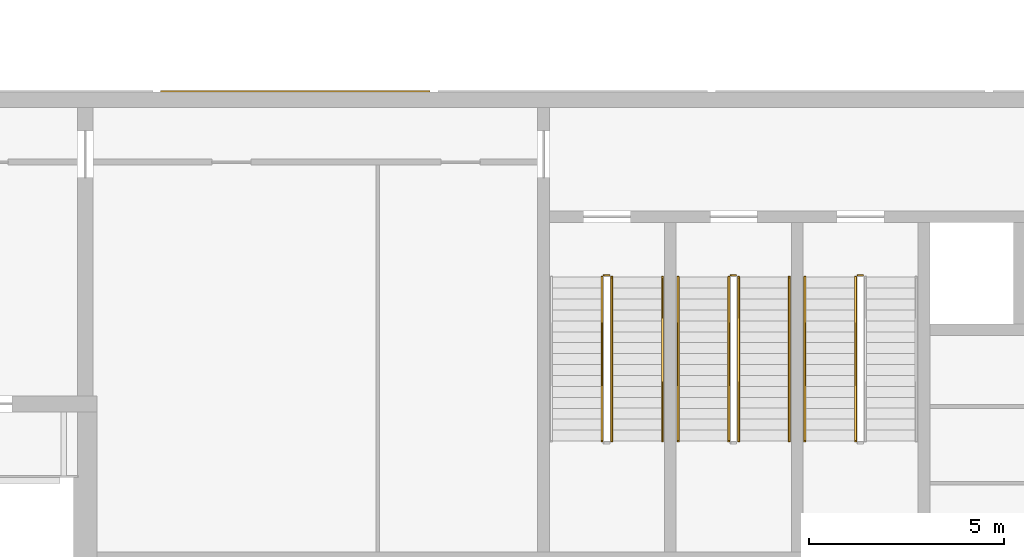
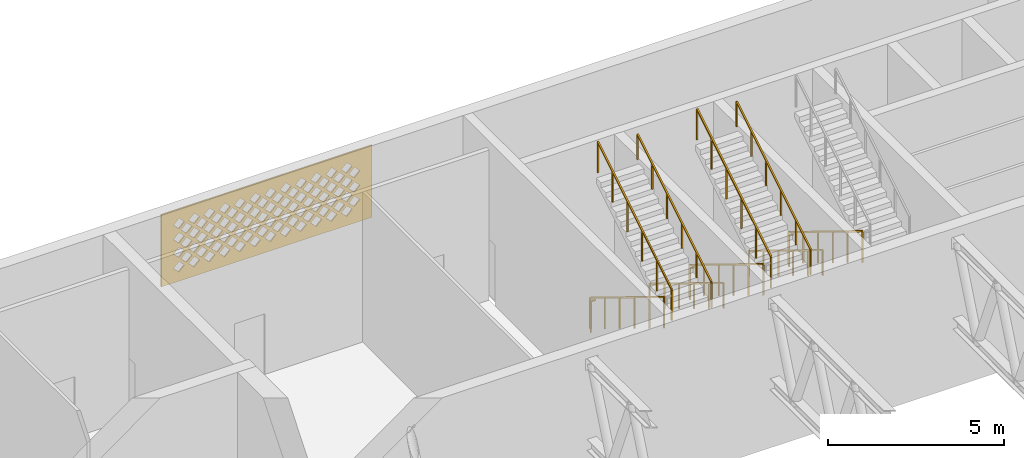
# One storey, part 42 of 69: 12 railings, 1 covering.
"""IFC4 building model written with IfcOpenShell, lengths in metres."""

from ifc_helpers import new_model, si_unit, direction, frame, origin, origin_2d, place, context, subcontext, project, spatial, polyline, rectangle, outline, extrude, material, layer, layer_set, type_object, element, save


model = new_model("IFC4")

# Units and contexts
model_context = context("Model", 3, precision=1e-05, world=origin(), true_north=direction((0.0, 1.0)))
body_context = subcontext(model_context, "Body", "Model", "MODEL_VIEW")
ifc_project = project(units=[si_unit("LENGTHUNIT", "METRE"), si_unit("AREAUNIT", "SQUARE_METRE"), si_unit("VOLUMEUNIT", "CUBIC_METRE"), si_unit("PLANEANGLEUNIT", "RADIAN"), si_unit("MASSUNIT", "GRAM", prefix="KILO")], contexts=[model_context])

# Site, building, storey
site_placement = place(None, origin())
site = spatial("IfcSite", under=ifc_project, at=site_placement, CompositionType="ELEMENT")
building_placement = place(site_placement, origin())
building = spatial("IfcBuilding", under=site, at=building_placement, Name="Noorbagh Ring Tower", CompositionType="ELEMENT")
storey_placement = place(building_placement, frame((0.0, 0.0, 19.5)))
storey = spatial("IfcBuildingStorey", under=building, at=storey_placement, Name="L03", CompositionType="ELEMENT", Elevation=19.5)

# Covering
ifc_material_1 = material(Name="Red sandstone jali", Category="masonry")
ifc_layer = layer(ifc_material_1, 0.0400390625)
ifc_layer_set = layer_set([ifc_layer], Name="Red sandstone jali")
covering_type = type_object("IfcCoveringType", Name="STH-BAND", PredefinedType="USERDEFINED", material=ifc_layer_set)
covering_placement = place(storey_placement, frame((-131.155517578125, 31.0400390625, 2.699951171875), z_axis=(0.0, 1.0, 0.0), x_axis=(-1.0, 0.0, 0.0)))
element("IfcCovering", 1, at=covering_placement, inside=storey, type_object=covering_type, Name="Jali band", ObjectType="JALI SCREEN", PredefinedType="USERDEFINED", context=body_context, shape_type="SweptSolid", body=[
    extrude(outline(polyline([(0.0, 0.0), (6.9111328125, 0.0), (6.9111328125, 2.5), (0.0, 2.5), (0.0, 0.0)]), holes=[polyline([(0.650634765625, 0.5), (0.83056640625, 0.320068359375), (1.010498046875, 0.5), (0.83056640625, 0.679931640625), (0.650634765625, 0.5)]), polyline([(1.150634765625, 0.5), (1.33056640625, 0.320068359375), (1.510498046875, 0.5), (1.33056640625, 0.679931640625), (1.150634765625, 0.5)]), polyline([(1.650634765625, 0.5), (1.83056640625, 0.320068359375), (2.010498046875, 0.5), (1.83056640625, 0.679931640625), (1.650634765625, 0.5)]), polyline([(2.150634765625, 0.5), (2.33056640625, 0.320068359375), (2.510498046875, 0.5), (2.33056640625, 0.679931640625), (2.150634765625, 0.5)]), polyline([(2.650634765625, 0.5), (2.83056640625, 0.320068359375), (3.010498046875, 0.5), (2.83056640625, 0.679931640625), (2.650634765625, 0.5)]), polyline([(3.150634765625, 0.5), (3.33056640625, 0.320068359375), (3.510498046875, 0.5), (3.33056640625, 0.679931640625), (3.150634765625, 0.5)]), polyline([(3.650634765625, 0.5), (3.83056640625, 0.320068359375), (4.010498046875, 0.5), (3.83056640625, 0.679931640625), (3.650634765625, 0.5)]), polyline([(4.150634765625, 0.5), (4.33056640625, 0.320068359375), (4.510498046875, 0.5), (4.33056640625, 0.679931640625), (4.150634765625, 0.5)]), polyline([(4.650634765625, 0.5), (4.83056640625, 0.320068359375), (5.010498046875, 0.5), (4.83056640625, 0.679931640625), (4.650634765625, 0.5)]), polyline([(5.150634765625, 0.5), (5.33056640625, 0.320068359375), (5.510498046875, 0.5), (5.33056640625, 0.679931640625), (5.150634765625, 0.5)]), polyline([(5.650634765625, 0.5), (5.83056640625, 0.320068359375), (6.010498046875, 0.5), (5.83056640625, 0.679931640625), (5.650634765625, 0.5)]), polyline([(6.150634765625, 0.5), (6.33056640625, 0.320068359375), (6.510498046875, 0.5), (6.33056640625, 0.679931640625), (6.150634765625, 0.5)]), polyline([(0.400634765625, 0.75), (0.58056640625, 0.570068359375), (0.760498046875, 0.75), (0.58056640625, 0.929931640625), (0.400634765625, 0.75)]), polyline([(0.900634765625, 0.75), (1.08056640625, 0.570068359375), (1.260498046875, 0.75), (1.08056640625, 0.929931640625), (0.900634765625, 0.75)]), polyline([(1.400634765625, 0.75), (1.58056640625, 0.570068359375), (1.760498046875, 0.75), (1.58056640625, 0.929931640625), (1.400634765625, 0.75)]), polyline([(1.900634765625, 0.75), (2.08056640625, 0.570068359375), (2.260498046875, 0.75), (2.08056640625, 0.929931640625), (1.900634765625, 0.75)]), polyline([(2.400634765625, 0.75), (2.58056640625, 0.570068359375), (2.760498046875, 0.75), (2.58056640625, 0.929931640625), (2.400634765625, 0.75)]), polyline([(2.900634765625, 0.75), (3.08056640625, 0.570068359375), (3.260498046875, 0.75), (3.08056640625, 0.929931640625), (2.900634765625, 0.75)]), polyline([(3.400634765625, 0.75), (3.58056640625, 0.570068359375), (3.760498046875, 0.75), (3.58056640625, 0.929931640625), (3.400634765625, 0.75)]), polyline([(3.900634765625, 0.75), (4.08056640625, 0.570068359375), (4.260498046875, 0.75), (4.08056640625, 0.929931640625), (3.900634765625, 0.75)]), polyline([(4.400634765625, 0.75), (4.58056640625, 0.570068359375), (4.760498046875, 0.75), (4.58056640625, 0.929931640625), (4.400634765625, 0.75)]), polyline([(4.900634765625, 0.75), (5.08056640625, 0.570068359375), (5.260498046875, 0.75), (5.08056640625, 0.929931640625), (4.900634765625, 0.75)]), polyline([(5.400634765625, 0.75), (5.58056640625, 0.570068359375), (5.760498046875, 0.75), (5.58056640625, 0.929931640625), (5.400634765625, 0.75)]), polyline([(5.900634765625, 0.75), (6.08056640625, 0.570068359375), (6.260498046875, 0.75), (6.08056640625, 0.929931640625), (5.900634765625, 0.75)]), polyline([(0.650634765625, 1.0), (0.83056640625, 0.820068359375), (1.010498046875, 1.0), (0.83056640625, 1.179931640625), (0.650634765625, 1.0)]), polyline([(1.150634765625, 1.0), (1.33056640625, 0.820068359375), (1.510498046875, 1.0), (1.33056640625, 1.179931640625), (1.150634765625, 1.0)]), polyline([(1.650634765625, 1.0), (1.83056640625, 0.820068359375), (2.010498046875, 1.0), (1.83056640625, 1.179931640625), (1.650634765625, 1.0)]), polyline([(2.150634765625, 1.0), (2.33056640625, 0.820068359375), (2.510498046875, 1.0), (2.33056640625, 1.179931640625), (2.150634765625, 1.0)]), polyline([(2.650634765625, 1.0), (2.83056640625, 0.820068359375), (3.010498046875, 1.0), (2.83056640625, 1.179931640625), (2.650634765625, 1.0)]), polyline([(3.150634765625, 1.0), (3.33056640625, 0.820068359375), (3.510498046875, 1.0), (3.33056640625, 1.179931640625), (3.150634765625, 1.0)]), polyline([(3.650634765625, 1.0), (3.83056640625, 0.820068359375), (4.010498046875, 1.0), (3.83056640625, 1.179931640625), (3.650634765625, 1.0)]), polyline([(4.150634765625, 1.0), (4.33056640625, 0.820068359375), (4.510498046875, 1.0), (4.33056640625, 1.179931640625), (4.150634765625, 1.0)]), polyline([(4.650634765625, 1.0), (4.83056640625, 0.820068359375), (5.010498046875, 1.0), (4.83056640625, 1.179931640625), (4.650634765625, 1.0)]), polyline([(5.150634765625, 1.0), (5.33056640625, 0.820068359375), (5.510498046875, 1.0), (5.33056640625, 1.179931640625), (5.150634765625, 1.0)]), polyline([(5.650634765625, 1.0), (5.83056640625, 0.820068359375), (6.010498046875, 1.0), (5.83056640625, 1.179931640625), (5.650634765625, 1.0)]), polyline([(6.150634765625, 1.0), (6.33056640625, 0.820068359375), (6.510498046875, 1.0), (6.33056640625, 1.179931640625), (6.150634765625, 1.0)]), polyline([(0.400634765625, 1.25), (0.58056640625, 1.070068359375), (0.760498046875, 1.25), (0.58056640625, 1.429931640625), (0.400634765625, 1.25)]), polyline([(0.900634765625, 1.25), (1.08056640625, 1.070068359375), (1.260498046875, 1.25), (1.08056640625, 1.429931640625), (0.900634765625, 1.25)]), polyline([(1.400634765625, 1.25), (1.58056640625, 1.070068359375), (1.760498046875, 1.25), (1.58056640625, 1.429931640625), (1.400634765625, 1.25)]), polyline([(1.900634765625, 1.25), (2.08056640625, 1.070068359375), (2.260498046875, 1.25), (2.08056640625, 1.429931640625), (1.900634765625, 1.25)]), polyline([(2.400634765625, 1.25), (2.58056640625, 1.070068359375), (2.760498046875, 1.25), (2.58056640625, 1.429931640625), (2.400634765625, 1.25)]), polyline([(2.900634765625, 1.25), (3.08056640625, 1.070068359375), (3.260498046875, 1.25), (3.08056640625, 1.429931640625), (2.900634765625, 1.25)]), polyline([(3.400634765625, 1.25), (3.58056640625, 1.070068359375), (3.760498046875, 1.25), (3.58056640625, 1.429931640625), (3.400634765625, 1.25)]), polyline([(3.900634765625, 1.25), (4.08056640625, 1.070068359375), (4.260498046875, 1.25), (4.08056640625, 1.429931640625), (3.900634765625, 1.25)]), polyline([(4.400634765625, 1.25), (4.58056640625, 1.070068359375), (4.760498046875, 1.25), (4.58056640625, 1.429931640625), (4.400634765625, 1.25)]), polyline([(4.900634765625, 1.25), (5.08056640625, 1.070068359375), (5.260498046875, 1.25), (5.08056640625, 1.429931640625), (4.900634765625, 1.25)]), polyline([(5.400634765625, 1.25), (5.58056640625, 1.070068359375), (5.760498046875, 1.25), (5.58056640625, 1.429931640625), (5.400634765625, 1.25)]), polyline([(5.900634765625, 1.25), (6.08056640625, 1.070068359375), (6.260498046875, 1.25), (6.08056640625, 1.429931640625), (5.900634765625, 1.25)]), polyline([(0.650634765625, 1.5), (0.83056640625, 1.320068359375), (1.010498046875, 1.5), (0.83056640625, 1.679931640625), (0.650634765625, 1.5)]), polyline([(1.150634765625, 1.5), (1.33056640625, 1.320068359375), (1.510498046875, 1.5), (1.33056640625, 1.679931640625), (1.150634765625, 1.5)]), polyline([(1.650634765625, 1.5), (1.83056640625, 1.320068359375), (2.010498046875, 1.5), (1.83056640625, 1.679931640625), (1.650634765625, 1.5)]), polyline([(2.150634765625, 1.5), (2.33056640625, 1.320068359375), (2.510498046875, 1.5), (2.33056640625, 1.679931640625), (2.150634765625, 1.5)]), polyline([(2.650634765625, 1.5), (2.83056640625, 1.320068359375), (3.010498046875, 1.5), (2.83056640625, 1.679931640625), (2.650634765625, 1.5)]), polyline([(3.150634765625, 1.5), (3.33056640625, 1.320068359375), (3.510498046875, 1.5), (3.33056640625, 1.679931640625), (3.150634765625, 1.5)]), polyline([(3.650634765625, 1.5), (3.83056640625, 1.320068359375), (4.010498046875, 1.5), (3.83056640625, 1.679931640625), (3.650634765625, 1.5)]), polyline([(4.150634765625, 1.5), (4.33056640625, 1.320068359375), (4.510498046875, 1.5), (4.33056640625, 1.679931640625), (4.150634765625, 1.5)]), polyline([(4.650634765625, 1.5), (4.83056640625, 1.320068359375), (5.010498046875, 1.5), (4.83056640625, 1.679931640625), (4.650634765625, 1.5)]), polyline([(5.150634765625, 1.5), (5.33056640625, 1.320068359375), (5.510498046875, 1.5), (5.33056640625, 1.679931640625), (5.150634765625, 1.5)]), polyline([(5.650634765625, 1.5), (5.83056640625, 1.320068359375), (6.010498046875, 1.5), (5.83056640625, 1.679931640625), (5.650634765625, 1.5)]), polyline([(6.150634765625, 1.5), (6.33056640625, 1.320068359375), (6.510498046875, 1.5), (6.33056640625, 1.679931640625), (6.150634765625, 1.5)]), polyline([(0.400634765625, 1.75), (0.58056640625, 1.570068359375), (0.760498046875, 1.75), (0.58056640625, 1.929931640625), (0.400634765625, 1.75)]), polyline([(0.900634765625, 1.75), (1.08056640625, 1.570068359375), (1.260498046875, 1.75), (1.08056640625, 1.929931640625), (0.900634765625, 1.75)]), polyline([(1.400634765625, 1.75), (1.58056640625, 1.570068359375), (1.760498046875, 1.75), (1.58056640625, 1.929931640625), (1.400634765625, 1.75)]), polyline([(1.900634765625, 1.75), (2.08056640625, 1.570068359375), (2.260498046875, 1.75), (2.08056640625, 1.929931640625), (1.900634765625, 1.75)]), polyline([(2.400634765625, 1.75), (2.58056640625, 1.570068359375), (2.760498046875, 1.75), (2.58056640625, 1.929931640625), (2.400634765625, 1.75)]), polyline([(2.900634765625, 1.75), (3.08056640625, 1.570068359375), (3.260498046875, 1.75), (3.08056640625, 1.929931640625), (2.900634765625, 1.75)]), polyline([(3.400634765625, 1.75), (3.58056640625, 1.570068359375), (3.760498046875, 1.75), (3.58056640625, 1.929931640625), (3.400634765625, 1.75)]), polyline([(3.900634765625, 1.75), (4.08056640625, 1.570068359375), (4.260498046875, 1.75), (4.08056640625, 1.929931640625), (3.900634765625, 1.75)]), polyline([(4.400634765625, 1.75), (4.58056640625, 1.570068359375), (4.760498046875, 1.75), (4.58056640625, 1.929931640625), (4.400634765625, 1.75)]), polyline([(4.900634765625, 1.75), (5.08056640625, 1.570068359375), (5.260498046875, 1.75), (5.08056640625, 1.929931640625), (4.900634765625, 1.75)]), polyline([(5.400634765625, 1.75), (5.58056640625, 1.570068359375), (5.760498046875, 1.75), (5.58056640625, 1.929931640625), (5.400634765625, 1.75)]), polyline([(5.900634765625, 1.75), (6.08056640625, 1.570068359375), (6.260498046875, 1.75), (6.08056640625, 1.929931640625), (5.900634765625, 1.75)]), polyline([(0.650634765625, 2.0), (0.83056640625, 1.820068359375), (1.010498046875, 2.0), (0.83056640625, 2.179931640625), (0.650634765625, 2.0)]), polyline([(1.150634765625, 2.0), (1.33056640625, 1.820068359375), (1.510498046875, 2.0), (1.33056640625, 2.179931640625), (1.150634765625, 2.0)]), polyline([(1.650634765625, 2.0), (1.83056640625, 1.820068359375), (2.010498046875, 2.0), (1.83056640625, 2.179931640625), (1.650634765625, 2.0)]), polyline([(2.150634765625, 2.0), (2.33056640625, 1.820068359375), (2.510498046875, 2.0), (2.33056640625, 2.179931640625), (2.150634765625, 2.0)]), polyline([(2.650634765625, 2.0), (2.83056640625, 1.820068359375), (3.010498046875, 2.0), (2.83056640625, 2.179931640625), (2.650634765625, 2.0)]), polyline([(3.150634765625, 2.0), (3.33056640625, 1.820068359375), (3.510498046875, 2.0), (3.33056640625, 2.179931640625), (3.150634765625, 2.0)]), polyline([(3.650634765625, 2.0), (3.83056640625, 1.820068359375), (4.010498046875, 2.0), (3.83056640625, 2.179931640625), (3.650634765625, 2.0)]), polyline([(4.150634765625, 2.0), (4.33056640625, 1.820068359375), (4.510498046875, 2.0), (4.33056640625, 2.179931640625), (4.150634765625, 2.0)]), polyline([(4.650634765625, 2.0), (4.83056640625, 1.820068359375), (5.010498046875, 2.0), (4.83056640625, 2.179931640625), (4.650634765625, 2.0)]), polyline([(5.150634765625, 2.0), (5.33056640625, 1.820068359375), (5.510498046875, 2.0), (5.33056640625, 2.179931640625), (5.150634765625, 2.0)]), polyline([(5.650634765625, 2.0), (5.83056640625, 1.820068359375), (6.010498046875, 2.0), (5.83056640625, 2.179931640625), (5.650634765625, 2.0)]), polyline([(6.150634765625, 2.0), (6.33056640625, 1.820068359375), (6.510498046875, 2.0), (6.33056640625, 2.179931640625), (6.150634765625, 2.0)])]), origin(), (0.0, 0.0, -1.0), 0.0400390625),
])

# Railings
ifc_material_2 = material(Name="Stainless steel", Category="steel")
railing_type_1 = type_object("IfcRailingType", Name="TH-STAIR-GUARD", PredefinedType="GUARDRAIL", material=ifc_material_2)
railing_1_placement = place(storey_placement, frame((-123.5, 26.25, 0.171875)))
element("IfcRailing", 2, at=railing_1_placement, inside=storey, type_object=railing_type_1, Name="L03 TSN1 stair guard 1", PredefinedType="GUARDRAIL", context=body_context, shape_type="SweptSolid", body=[
    extrude(rectangle(XDim=0.048095703125, YDim=0.048095703125, at=origin_2d()), frame((0.0, 0.0, 1.076171875), z_axis=(0.0, -0.852242915053, 0.523146264196), x_axis=(1.0, 0.0, 0.0)), (0.0, 0.0, 1.0), 4.92822265625),
    extrude(rectangle(XDim=0.0419921875, YDim=0.0419921875, at=origin_2d()), origin(), (0.0, 0.0, 1.0), 1.052001953125),
    extrude(rectangle(XDim=0.0419921875, YDim=0.0419921875, at=origin_2d()), frame((0.0, -0.840087890625, 0.515625)), (0.0, 0.0, 1.0), 1.052001953125),
    extrude(rectangle(XDim=0.0419921875, YDim=0.0419921875, at=origin_2d()), frame((0.0, -1.679931640625, 1.03125)), (0.0, 0.0, 1.0), 1.052001953125),
    extrude(rectangle(XDim=0.0419921875, YDim=0.0419921875, at=origin_2d()), frame((0.0, -2.52001953125, 1.546875)), (0.0, 0.0, 1.0), 1.052001953125),
    extrude(rectangle(XDim=0.0419921875, YDim=0.0419921875, at=origin_2d()), frame((0.0, -3.35986328125, 2.0625)), (0.0, 0.0, 1.0), 1.052001953125),
    extrude(rectangle(XDim=0.0419921875, YDim=0.0419921875, at=origin_2d()), frame((0.0, -4.199951171875, 2.578125)), (0.0, 0.0, 1.0), 1.052001953125),
])
railing_2_placement = place(storey_placement, frame((-123.25, 22.050048828125, 2.921875)))
element("IfcRailing", 3, at=railing_2_placement, inside=storey, type_object=railing_type_1, Name="L03 TSN1 stair guard 3", PredefinedType="GUARDRAIL", context=body_context, shape_type="SweptSolid", body=[
    extrude(rectangle(XDim=0.048095703125, YDim=0.048095703125, at=origin_2d()), frame((0.0, 0.0, 1.076171875), z_axis=(0.0, 0.852242915053, 0.523146264196), x_axis=(-1.0, 0.0, 0.0)), (0.0, 0.0, 1.0), 4.92822265625),
    extrude(rectangle(XDim=0.0419921875, YDim=0.0419921875, at=origin_2d()), origin(), (0.0, 0.0, 1.0), 1.052001953125),
    extrude(rectangle(XDim=0.0419921875, YDim=0.0419921875, at=origin_2d()), frame((0.0, 0.840087890625, 0.515625)), (0.0, 0.0, 1.0), 1.052001953125),
    extrude(rectangle(XDim=0.0419921875, YDim=0.0419921875, at=origin_2d()), frame((0.0, 1.679931640625, 1.03125)), (0.0, 0.0, 1.0), 1.052001953125),
    extrude(rectangle(XDim=0.0419921875, YDim=0.0419921875, at=origin_2d()), frame((0.0, 2.52001953125, 1.546875)), (0.0, 0.0, 1.0), 1.052001953125),
    extrude(rectangle(XDim=0.0419921875, YDim=0.0419921875, at=origin_2d()), frame((0.0, 3.35986328125, 2.0625)), (0.0, 0.0, 1.0), 1.052001953125),
    extrude(rectangle(XDim=0.0419921875, YDim=0.0419921875, at=origin_2d()), frame((0.0, 4.199951171875, 2.578125)), (0.0, 0.0, 1.0), 1.052001953125),
])
railing_3_placement = place(storey_placement, frame((-123.449951171875, 26.300048828125, 0.0)))
element("IfcRailing", 4, at=railing_3_placement, inside=storey, type_object=railing_type_1, Name="L03 TSN1 stair guard 4", PredefinedType="GUARDRAIL", context=body_context, shape_type="SweptSolid", body=[
    extrude(rectangle(XDim=0.048095703125, YDim=0.048095703125, at=origin_2d()), frame((0.0, 0.0, 1.076171875), z_axis=(1.0, 0.0, 0.0), x_axis=(0.0, 1.0, 0.0)), (0.0, 0.0, 1.0), 0.14990234375),
    extrude(rectangle(XDim=0.0419921875, YDim=0.0419921875, at=origin_2d()), origin(), (0.0, 0.0, 1.0), 1.052001953125),
])
railing_4_placement = place(storey_placement, frame((-120.25, 26.25, 0.171875)))
element("IfcRailing", 5, at=railing_4_placement, inside=storey, type_object=railing_type_1, Name="L03 TSN2 stair guard 1", PredefinedType="GUARDRAIL", context=body_context, shape_type="SweptSolid", body=[
    extrude(rectangle(XDim=0.048095703125, YDim=0.048095703125, at=origin_2d()), frame((0.0, 0.0, 1.076171875), z_axis=(0.0, -0.852242915053, 0.523146264196), x_axis=(1.0, 0.0, 0.0)), (0.0, 0.0, 1.0), 4.92822265625),
    extrude(rectangle(XDim=0.0419921875, YDim=0.0419921875, at=origin_2d()), origin(), (0.0, 0.0, 1.0), 1.052001953125),
    extrude(rectangle(XDim=0.0419921875, YDim=0.0419921875, at=origin_2d()), frame((0.0, -0.840087890625, 0.515625)), (0.0, 0.0, 1.0), 1.052001953125),
    extrude(rectangle(XDim=0.0419921875, YDim=0.0419921875, at=origin_2d()), frame((0.0, -1.679931640625, 1.03125)), (0.0, 0.0, 1.0), 1.052001953125),
    extrude(rectangle(XDim=0.0419921875, YDim=0.0419921875, at=origin_2d()), frame((0.0, -2.52001953125, 1.546875)), (0.0, 0.0, 1.0), 1.052001953125),
    extrude(rectangle(XDim=0.0419921875, YDim=0.0419921875, at=origin_2d()), frame((0.0, -3.35986328125, 2.0625)), (0.0, 0.0, 1.0), 1.052001953125),
    extrude(rectangle(XDim=0.0419921875, YDim=0.0419921875, at=origin_2d()), frame((0.0, -4.199951171875, 2.578125)), (0.0, 0.0, 1.0), 1.052001953125),
])
railing_5_placement = place(storey_placement, frame((-120.199951171875, 26.300048828125, 0.0)))
element("IfcRailing", 6, at=railing_5_placement, inside=storey, type_object=railing_type_1, Name="L03 TSN2 stair guard 4", PredefinedType="GUARDRAIL", context=body_context, shape_type="SweptSolid", body=[
    extrude(rectangle(XDim=0.048095703125, YDim=0.048095703125, at=origin_2d()), frame((0.0, 0.0, 1.076171875), z_axis=(1.0, 0.0, 0.0), x_axis=(0.0, 1.0, 0.0)), (0.0, 0.0, 1.0), 0.14990234375),
    extrude(rectangle(XDim=0.0419921875, YDim=0.0419921875, at=origin_2d()), origin(), (0.0, 0.0, 1.0), 1.052001953125),
])
railing_6_placement = place(storey_placement, frame((-126.75, 26.25, 0.171875)))
element("IfcRailing", 7, at=railing_6_placement, inside=storey, type_object=railing_type_1, Name="L03 TSN3 stair guard 1", PredefinedType="GUARDRAIL", context=body_context, shape_type="SweptSolid", body=[
    extrude(rectangle(XDim=0.048095703125, YDim=0.048095703125, at=origin_2d()), frame((0.0, 0.0, 1.076171875), z_axis=(0.0, -0.852242915053, 0.523146264196), x_axis=(1.0, 0.0, 0.0)), (0.0, 0.0, 1.0), 4.92822265625),
    extrude(rectangle(XDim=0.0419921875, YDim=0.0419921875, at=origin_2d()), origin(), (0.0, 0.0, 1.0), 1.052001953125),
    extrude(rectangle(XDim=0.0419921875, YDim=0.0419921875, at=origin_2d()), frame((0.0, -0.840087890625, 0.515625)), (0.0, 0.0, 1.0), 1.052001953125),
    extrude(rectangle(XDim=0.0419921875, YDim=0.0419921875, at=origin_2d()), frame((0.0, -1.679931640625, 1.03125)), (0.0, 0.0, 1.0), 1.052001953125),
    extrude(rectangle(XDim=0.0419921875, YDim=0.0419921875, at=origin_2d()), frame((0.0, -2.52001953125, 1.546875)), (0.0, 0.0, 1.0), 1.052001953125),
    extrude(rectangle(XDim=0.0419921875, YDim=0.0419921875, at=origin_2d()), frame((0.0, -3.35986328125, 2.0625)), (0.0, 0.0, 1.0), 1.052001953125),
    extrude(rectangle(XDim=0.0419921875, YDim=0.0419921875, at=origin_2d()), frame((0.0, -4.199951171875, 2.578125)), (0.0, 0.0, 1.0), 1.052001953125),
])
railing_7_placement = place(storey_placement, frame((-126.5, 22.050048828125, 2.921875)))
element("IfcRailing", 8, at=railing_7_placement, inside=storey, type_object=railing_type_1, Name="L03 TSN3 stair guard 3", PredefinedType="GUARDRAIL", context=body_context, shape_type="SweptSolid", body=[
    extrude(rectangle(XDim=0.048095703125, YDim=0.048095703125, at=origin_2d()), frame((0.0, 0.0, 1.076171875), z_axis=(0.0, 0.852242915053, 0.523146264196), x_axis=(-1.0, 0.0, 0.0)), (0.0, 0.0, 1.0), 4.92822265625),
    extrude(rectangle(XDim=0.0419921875, YDim=0.0419921875, at=origin_2d()), origin(), (0.0, 0.0, 1.0), 1.052001953125),
    extrude(rectangle(XDim=0.0419921875, YDim=0.0419921875, at=origin_2d()), frame((0.0, 0.840087890625, 0.515625)), (0.0, 0.0, 1.0), 1.052001953125),
    extrude(rectangle(XDim=0.0419921875, YDim=0.0419921875, at=origin_2d()), frame((0.0, 1.679931640625, 1.03125)), (0.0, 0.0, 1.0), 1.052001953125),
    extrude(rectangle(XDim=0.0419921875, YDim=0.0419921875, at=origin_2d()), frame((0.0, 2.52001953125, 1.546875)), (0.0, 0.0, 1.0), 1.052001953125),
    extrude(rectangle(XDim=0.0419921875, YDim=0.0419921875, at=origin_2d()), frame((0.0, 3.35986328125, 2.0625)), (0.0, 0.0, 1.0), 1.052001953125),
    extrude(rectangle(XDim=0.0419921875, YDim=0.0419921875, at=origin_2d()), frame((0.0, 4.199951171875, 2.578125)), (0.0, 0.0, 1.0), 1.052001953125),
])
railing_8_placement = place(storey_placement, frame((-126.699951171875, 26.300048828125, 0.0)))
element("IfcRailing", 9, at=railing_8_placement, inside=storey, type_object=railing_type_1, Name="L03 TSN3 stair guard 4", PredefinedType="GUARDRAIL", context=body_context, shape_type="SweptSolid", body=[
    extrude(rectangle(XDim=0.048095703125, YDim=0.048095703125, at=origin_2d()), frame((0.0, 0.0, 1.076171875), z_axis=(1.0, 0.0, 0.0), x_axis=(0.0, 1.0, 0.0)), (0.0, 0.0, 1.0), 0.14990234375),
    extrude(rectangle(XDim=0.0419921875, YDim=0.0419921875, at=origin_2d()), origin(), (0.0, 0.0, 1.0), 1.052001953125),
])
ifc_material_3 = material(Name="Stainless steel", Category="steel")
railing_type_2 = type_object("IfcRailingType", Name="TH-STAIR-HANDRAIL", PredefinedType="HANDRAIL", material=ifc_material_3)
railing_9_placement = place(storey_placement, frame((-124.800048828125, 26.25, 0.171875)))
element("IfcRailing", 10, at=railing_9_placement, inside=storey, type_object=railing_type_2, Name="L03 TSN1 stair handrail 1", PredefinedType="HANDRAIL", context=body_context, shape_type="SweptSolid", body=[
    extrude(rectangle(XDim=0.048095703125, YDim=0.048095703125, at=origin_2d()), frame((0.0, 0.0, 0.8759765625), z_axis=(0.0, -0.852242915053, 0.523146264196), x_axis=(1.0, 0.0, 0.0)), (0.0, 0.0, 1.0), 4.92822265625),
    extrude(rectangle(XDim=0.0419921875, YDim=0.0419921875, at=origin_2d()), origin(), (0.0, 0.0, 1.0), 0.851806640625),
    extrude(rectangle(XDim=0.0419921875, YDim=0.0419921875, at=origin_2d()), frame((0.0, -0.840087890625, 0.515625)), (0.0, 0.0, 1.0), 0.851806640625),
    extrude(rectangle(XDim=0.0419921875, YDim=0.0419921875, at=origin_2d()), frame((0.0, -1.679931640625, 1.03125)), (0.0, 0.0, 1.0), 0.851806640625),
    extrude(rectangle(XDim=0.0419921875, YDim=0.0419921875, at=origin_2d()), frame((0.0, -2.52001953125, 1.546875)), (0.0, 0.0, 1.0), 0.851806640625),
    extrude(rectangle(XDim=0.0419921875, YDim=0.0419921875, at=origin_2d()), frame((0.0, -3.35986328125, 2.0625)), (0.0, 0.0, 1.0), 0.851806640625),
    extrude(rectangle(XDim=0.0419921875, YDim=0.0419921875, at=origin_2d()), frame((0.0, -4.199951171875, 2.578125)), (0.0, 0.0, 1.0), 0.851806640625),
])
railing_10_placement = place(storey_placement, frame((-121.949951171875, 22.050048828125, 2.921875)))
element("IfcRailing", 11, at=railing_10_placement, inside=storey, type_object=railing_type_2, Name="L03 TSN1 stair handrail 2", PredefinedType="HANDRAIL", context=body_context, shape_type="SweptSolid", body=[
    extrude(rectangle(XDim=0.048095703125, YDim=0.048095703125, at=origin_2d()), frame((0.0, 0.0, 0.8759765625), z_axis=(0.0, 0.852242915053, 0.523146264196), x_axis=(-1.0, 0.0, 0.0)), (0.0, 0.0, 1.0), 4.92822265625),
    extrude(rectangle(XDim=0.0419921875, YDim=0.0419921875, at=origin_2d()), origin(), (0.0, 0.0, 1.0), 0.851806640625),
    extrude(rectangle(XDim=0.0419921875, YDim=0.0419921875, at=origin_2d()), frame((0.0, 0.840087890625, 0.515625)), (0.0, 0.0, 1.0), 0.851806640625),
    extrude(rectangle(XDim=0.0419921875, YDim=0.0419921875, at=origin_2d()), frame((0.0, 1.679931640625, 1.03125)), (0.0, 0.0, 1.0), 0.851806640625),
    extrude(rectangle(XDim=0.0419921875, YDim=0.0419921875, at=origin_2d()), frame((0.0, 2.52001953125, 1.546875)), (0.0, 0.0, 1.0), 0.851806640625),
    extrude(rectangle(XDim=0.0419921875, YDim=0.0419921875, at=origin_2d()), frame((0.0, 3.35986328125, 2.0625)), (0.0, 0.0, 1.0), 0.851806640625),
    extrude(rectangle(XDim=0.0419921875, YDim=0.0419921875, at=origin_2d()), frame((0.0, 4.199951171875, 2.578125)), (0.0, 0.0, 1.0), 0.851806640625),
])
railing_11_placement = place(storey_placement, frame((-121.550048828125, 26.25, 0.171875)))
element("IfcRailing", 12, at=railing_11_placement, inside=storey, type_object=railing_type_2, Name="L03 TSN2 stair handrail 1", PredefinedType="HANDRAIL", context=body_context, shape_type="SweptSolid", body=[
    extrude(rectangle(XDim=0.048095703125, YDim=0.048095703125, at=origin_2d()), frame((0.0, 0.0, 0.8759765625), z_axis=(0.0, -0.852242915053, 0.523146264196), x_axis=(1.0, 0.0, 0.0)), (0.0, 0.0, 1.0), 4.92822265625),
    extrude(rectangle(XDim=0.0419921875, YDim=0.0419921875, at=origin_2d()), origin(), (0.0, 0.0, 1.0), 0.851806640625),
    extrude(rectangle(XDim=0.0419921875, YDim=0.0419921875, at=origin_2d()), frame((0.0, -0.840087890625, 0.515625)), (0.0, 0.0, 1.0), 0.851806640625),
    extrude(rectangle(XDim=0.0419921875, YDim=0.0419921875, at=origin_2d()), frame((0.0, -1.679931640625, 1.03125)), (0.0, 0.0, 1.0), 0.851806640625),
    extrude(rectangle(XDim=0.0419921875, YDim=0.0419921875, at=origin_2d()), frame((0.0, -2.52001953125, 1.546875)), (0.0, 0.0, 1.0), 0.851806640625),
    extrude(rectangle(XDim=0.0419921875, YDim=0.0419921875, at=origin_2d()), frame((0.0, -3.35986328125, 2.0625)), (0.0, 0.0, 1.0), 0.851806640625),
    extrude(rectangle(XDim=0.0419921875, YDim=0.0419921875, at=origin_2d()), frame((0.0, -4.199951171875, 2.578125)), (0.0, 0.0, 1.0), 0.851806640625),
])
railing_12_placement = place(storey_placement, frame((-125.199951171875, 22.050048828125, 2.921875)))
element("IfcRailing", 13, at=railing_12_placement, inside=storey, type_object=railing_type_2, Name="L03 TSN3 stair handrail 2", PredefinedType="HANDRAIL", context=body_context, shape_type="SweptSolid", body=[
    extrude(rectangle(XDim=0.048095703125, YDim=0.048095703125, at=origin_2d()), frame((0.0, 0.0, 0.8759765625), z_axis=(0.0, 0.852242915053, 0.523146264196), x_axis=(-1.0, 0.0, 0.0)), (0.0, 0.0, 1.0), 4.92822265625),
    extrude(rectangle(XDim=0.0419921875, YDim=0.0419921875, at=origin_2d()), origin(), (0.0, 0.0, 1.0), 0.851806640625),
    extrude(rectangle(XDim=0.0419921875, YDim=0.0419921875, at=origin_2d()), frame((0.0, 0.840087890625, 0.515625)), (0.0, 0.0, 1.0), 0.851806640625),
    extrude(rectangle(XDim=0.0419921875, YDim=0.0419921875, at=origin_2d()), frame((0.0, 1.679931640625, 1.03125)), (0.0, 0.0, 1.0), 0.851806640625),
    extrude(rectangle(XDim=0.0419921875, YDim=0.0419921875, at=origin_2d()), frame((0.0, 2.52001953125, 1.546875)), (0.0, 0.0, 1.0), 0.851806640625),
    extrude(rectangle(XDim=0.0419921875, YDim=0.0419921875, at=origin_2d()), frame((0.0, 3.35986328125, 2.0625)), (0.0, 0.0, 1.0), 0.851806640625),
    extrude(rectangle(XDim=0.0419921875, YDim=0.0419921875, at=origin_2d()), frame((0.0, 4.199951171875, 2.578125)), (0.0, 0.0, 1.0), 0.851806640625),
])

save(model, "model.ifc")
